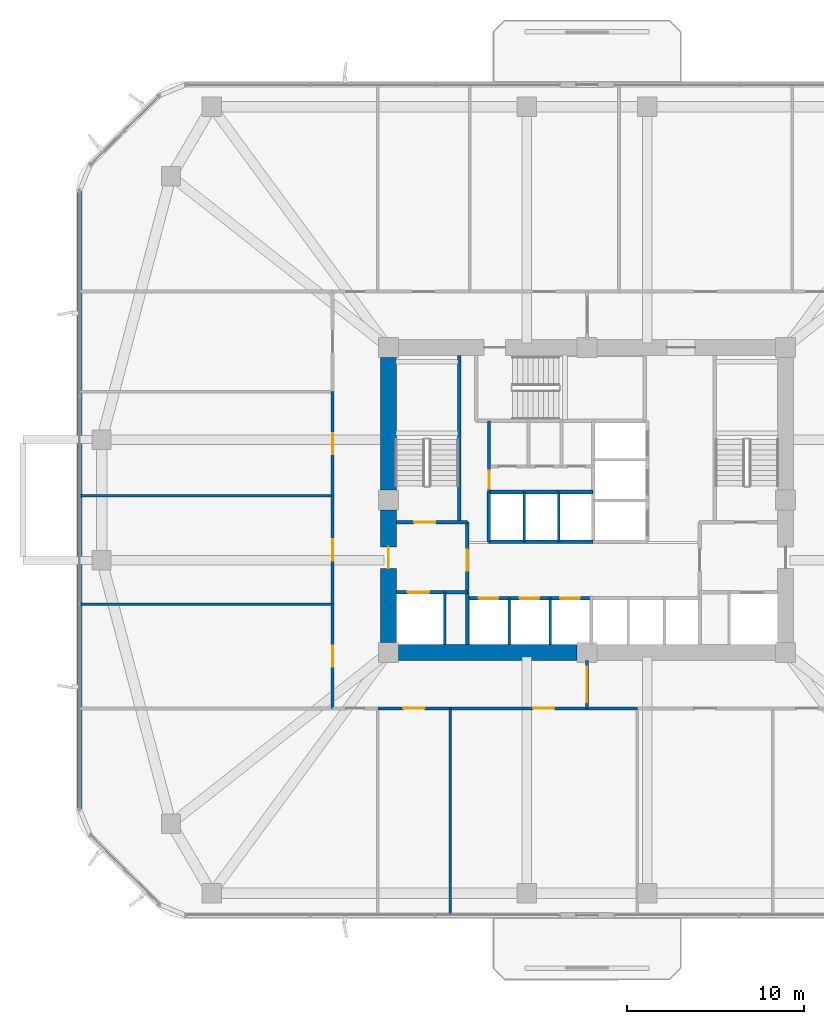
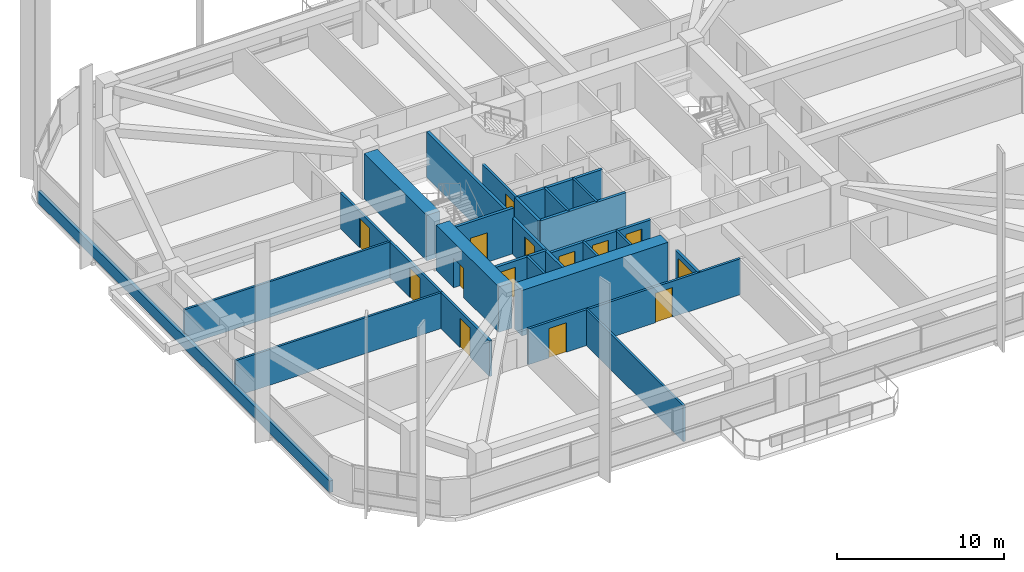
# One storey, part 9 of 17: 27 walls, 14 doors, 14 openings.
"""IFC4 building model written with IfcOpenShell, lengths in metres."""

from ifc_helpers import new_model, si_unit, derived_unit, direction, frame, frame_2d, origin, place, context, subcontext, project, spatial, rectangle, extrude, material, layer, layer_set, type_object, element, fill, save


model = new_model("IFC4")

# Units and contexts
model_context = context("Model", 3, precision=1e-05, world=origin(), true_north=direction((0.0, 1.0)))
body_context = subcontext(model_context, "Body", "Model", "MODEL_VIEW")
ifc_project = project(units=[si_unit("LENGTHUNIT", "METRE"), si_unit("AREAUNIT", "SQUARE_METRE"), si_unit("VOLUMEUNIT", "CUBIC_METRE"), si_unit("PLANEANGLEUNIT", "RADIAN"), si_unit("MASSUNIT", "GRAM", prefix="KILO"), derived_unit("THERMALTRANSMITTANCEUNIT", [(si_unit("POWERUNIT", "WATT"), 1), (si_unit("LENGTHUNIT", "METRE"), -2), (si_unit("THERMODYNAMICTEMPERATUREUNIT", "KELVIN"), -1)])], contexts=[model_context])

# Site, building, storey
site_placement = place(None, origin())
site = spatial("IfcSite", under=ifc_project, at=site_placement, CompositionType="ELEMENT")
building_placement = place(site_placement, origin())
building = spatial("IfcBuilding", under=site, at=building_placement, Name="Koralith Skygarden Medical Center", CompositionType="ELEMENT")
storey_placement = place(building_placement, frame((0.0, 0.0, 52.739990234375)))
storey = spatial("IfcBuildingStorey", under=building, at=storey_placement, Name="L13", CompositionType="ELEMENT", Elevation=52.739990234375)

# Walls
ifc_material_1 = material(Name="Gypsum Board Partition")
ifc_layer_1 = layer(ifc_material_1, 0.14990234375)
ifc_layer_set_1 = layer_set([ifc_layer_1], Name="Gypsum Board Partition")
wall_type_1 = type_object("IfcWallType", Name="Clinical Acoustic Partition 150", PredefinedType="PARTITIONING", material=ifc_layer_set_1)
wall_1_placement = place(storey_placement, frame((29.278076171875, 14.14990234375, 0.0), z_axis=(0.0, 0.0, 1.0), x_axis=(0.0, -1.0, 0.0)))
element("IfcWall", 1, at=wall_1_placement, inside=storey, type_object=wall_type_1, Name="L13 Clinical Acoustic Partition 150 W-PART-L13-S-02", PredefinedType="PARTITIONING", context=body_context, shape_type="SweptSolid", body=[
    extrude(rectangle(XDim=11.64990234375, YDim=0.14990234375, at=frame_2d((5.824951171875, 0.0))), origin(), (0.0, 0.0, 1.0), 2.610107421875),
])
for number, where, z_axis, x_axis, name in (
    (2, (22.64990234375, 20.02490234375, 0.0), (0.0, 0.0, 1.0), (-1.0, 0.0, 0.0), "L13 Clinical Acoustic Partition 150 W-PART-L13-W-01"),
    (3, (22.64990234375, 26.135009765625, 0.0), (0.0, 0.0, 1.0), (-1.0, 0.0, 0.0), "L13 Clinical Acoustic Partition 150 W-PART-L13-W-02"),
):
    element("IfcWall", number, at=place(storey_placement, frame(where, z_axis=z_axis, x_axis=x_axis)), inside=storey, type_object=wall_type_1, Name=name, PredefinedType="PARTITIONING", context=body_context, shape_type="SweptSolid", body=[
        extrude(rectangle(XDim=14.25, YDim=0.14990234375, at=frame_2d((7.125, 0.0))), origin(), (0.0, 0.0, 1.0), 2.610107421875),
    ])

# Wall, opening, door
ifc_layer_2 = layer(ifc_material_1, 0.1650390625)
ifc_layer_set_2 = layer_set([ifc_layer_2], Name="Gypsum Board Partition")
wall_type_2 = type_object("IfcWallType", Name="Clinical Corridor Partition 165", PredefinedType="PARTITIONING", material=ifc_layer_set_2)
wall_2_placement = place(storey_placement, frame((25.199951171875, 14.14990234375, 0.0), z_axis=(0.0, 0.0, 1.0), x_axis=(1.0, 0.0, 0.0)))
wall_2 = element("IfcWall", 4, at=wall_2_placement, inside=storey, type_object=wall_type_2, Name="L13 Clinical Corridor Partition 165 W-CORR-L13-S-02", PredefinedType="PARTITIONING", context=body_context, shape_type="SweptSolid", body=[
    extrude(rectangle(XDim=4.078125, YDim=0.1650390625, at=frame_2d((2.0390625, 0.0))), origin(), (0.0, 0.0, 1.0), 2.610107421875),
])
opening_1_placement = place(wall_2_placement, frame((1.43896484375, 0.0, 0.0)))
opening_1 = element("IfcOpeningElement", 5, at=opening_1_placement, cuts=wall_2, Name="Opening D-CLN", PredefinedType="OPENING", context=body_context, shape_type="SweptSolid", body=[
    extrude(rectangle(XDim=1.199951171875, YDim=2.14990234375, at=frame_2d((0.60009765625, 1.074951171875))), frame((0.0, 0.092529296875, 0.0), z_axis=(0.0, -1.0, 0.0), x_axis=(1.0, 0.0, 0.0)), (0.0, 0.0, 1.0), 0.18505859375),
])
ifc_material_2 = material(Name="Aluminium 6063-T6", Category="aluminium")
door_type_1 = type_object("IfcDoorType", Name="Clinical Corridor Door D-CLN 1200", OperationType="NOTDEFINED", PredefinedType="DOOR", material=ifc_material_2)
door_1_placement = place(opening_1_placement, frame((1.199951171875, 0.0, 0.0), z_axis=(0.0, 0.0, 1.0), x_axis=(-1.0, 0.0, 0.0)))
door_1 = element("IfcDoor", 6, at=door_1_placement, inside=storey, type_object=door_type_1, Name="L13 Grand Rounds Conference Room 07 Door", OperationType="SINGLE_SWING_RIGHT", OverallHeight=2.14990234375, OverallWidth=1.199951171875, PredefinedType="DOOR", context=body_context, shape_type="SweptSolid", body=[
    extrude(rectangle(XDim=1.199951171875, YDim=2.14990234375, at=frame_2d((0.60009765625, 1.074951171875))), frame((0.0, 0.02490234375, 0.0), z_axis=(0.0, -1.0, 0.0), x_axis=(1.0, 0.0, 0.0)), (0.0, 0.0, 1.0), 0.050048828125),
])
fill(opening_1, door_1)

wall_3_placement = place(storey_placement, frame((29.278076171875, 14.14990234375, 0.0), z_axis=(0.0, 0.0, 1.0), x_axis=(1.0, 0.0, 0.0)))
wall_3 = element("IfcWall", 7, at=wall_3_placement, inside=storey, type_object=wall_type_2, Name="L13 Clinical Corridor Partition 165 W-CORR-L13-S-03", PredefinedType="PARTITIONING", context=body_context, shape_type="SweptSolid", body=[
    extrude(rectangle(XDim=10.556884765625, YDim=0.1650390625, at=frame_2d((5.2783203125, 0.0))), origin(), (0.0, 0.0, 1.0), 2.610107421875),
])
opening_2_placement = place(wall_3_placement, frame((4.678955078125, 0.0, 0.0)))
opening_2 = element("IfcOpeningElement", 8, at=opening_2_placement, cuts=wall_3, Name="Opening D-CLN", PredefinedType="OPENING", context=body_context, shape_type="SweptSolid", body=[
    extrude(rectangle(XDim=1.199951171875, YDim=2.14990234375, at=frame_2d((0.60009765625, 1.074951171875))), frame((0.0, 0.092529296875, 0.0), z_axis=(0.0, -1.0, 0.0), x_axis=(1.0, 0.0, 0.0)), (0.0, 0.0, 1.0), 0.18505859375),
])
door_2_placement = place(opening_2_placement, frame((1.199951171875, 0.0, 0.0), z_axis=(0.0, 0.0, 1.0), x_axis=(-1.0, 0.0, 0.0)))
door_2 = element("IfcDoor", 9, at=door_2_placement, inside=storey, type_object=door_type_1, Name="L13 Patient and Family Sky-Garden Day Lounge 08 Door", OperationType="SINGLE_SWING_LEFT", OverallHeight=2.14990234375, OverallWidth=1.199951171875, PredefinedType="DOOR", context=body_context, shape_type="SweptSolid", body=[
    extrude(rectangle(XDim=1.199951171875, YDim=2.14990234375, at=frame_2d((0.60009765625, 1.074951171875))), frame((0.0, 0.02490234375, 0.0), z_axis=(0.0, -1.0, 0.0), x_axis=(1.0, 0.0, 0.0)), (0.0, 0.0, 1.0), 0.050048828125),
])
fill(opening_2, door_2)

wall_4_placement = place(storey_placement, frame((22.64990234375, 14.14990234375, 0.0), z_axis=(0.0, 0.0, 1.0), x_axis=(0.0, 1.0, 0.0)))
wall_4 = element("IfcWall", 10, at=wall_4_placement, inside=storey, type_object=wall_type_2, Name="L13 Clinical Corridor Partition 165 W-CORR-L13-W-01", PredefinedType="PARTITIONING", context=body_context, shape_type="SweptSolid", body=[
    extrude(rectangle(XDim=5.875, YDim=0.1650390625, at=frame_2d((2.9375, 0.0))), origin(), (0.0, 0.0, 1.0), 2.610107421875),
])
opening_3_placement = place(wall_4_placement, frame((2.3369140625, 0.0, 0.0)))
opening_3 = element("IfcOpeningElement", 11, at=opening_3_placement, cuts=wall_4, Name="Opening D-CLN", PredefinedType="OPENING", context=body_context, shape_type="SweptSolid", body=[
    extrude(rectangle(XDim=1.199951171875, YDim=2.14990234375, at=frame_2d((0.60009765625, 1.074951171875))), frame((0.0, 0.092529296875, 0.0), z_axis=(0.0, -1.0, 0.0), x_axis=(1.0, 0.0, 0.0)), (0.0, 0.0, 1.0), 0.18505859375),
])
door_3_placement = place(opening_3_placement, frame((1.199951171875, 0.0, 0.0), z_axis=(0.0, 0.0, 1.0), x_axis=(-1.0, 0.0, 0.0)))
door_3 = element("IfcDoor", 12, at=door_3_placement, inside=storey, type_object=door_type_1, Name="L13 Clinical Simulation Classroom 11 Door", OperationType="SINGLE_SWING_RIGHT", OverallHeight=2.14990234375, OverallWidth=1.199951171875, PredefinedType="DOOR", context=body_context, shape_type="SweptSolid", body=[
    extrude(rectangle(XDim=1.199951171875, YDim=2.14990234375, at=frame_2d((0.60009765625, 1.074951171875))), frame((0.0, 0.02490234375, 0.0), z_axis=(0.0, -1.0, 0.0), x_axis=(1.0, 0.0, 0.0)), (0.0, 0.0, 1.0), 0.050048828125),
])
fill(opening_3, door_3)

wall_5_placement = place(storey_placement, frame((22.64990234375, 20.02490234375, 0.0), z_axis=(0.0, 0.0, 1.0), x_axis=(0.0, 1.0, 0.0)))
wall_5 = element("IfcWall", 13, at=wall_5_placement, inside=storey, type_object=wall_type_2, Name="L13 Clinical Corridor Partition 165 W-CORR-L13-W-02", PredefinedType="PARTITIONING", context=body_context, shape_type="SweptSolid", body=[
    extrude(rectangle(XDim=6.110107421875, YDim=0.1650390625, at=frame_2d((3.05517578125, 0.0))), origin(), (0.0, 0.0, 1.0), 2.610107421875),
])
opening_4_placement = place(wall_5_placement, frame((2.455078125, 0.0, 0.0)))
opening_4 = element("IfcOpeningElement", 14, at=opening_4_placement, cuts=wall_5, Name="Opening D-CLN", PredefinedType="OPENING", context=body_context, shape_type="SweptSolid", body=[
    extrude(rectangle(XDim=1.199951171875, YDim=2.14990234375, at=frame_2d((0.60009765625, 1.074951171875))), frame((0.0, 0.092529296875, 0.0), z_axis=(0.0, -1.0, 0.0), x_axis=(1.0, 0.0, 0.0)), (0.0, 0.0, 1.0), 0.18505859375),
])
door_4_placement = place(opening_4_placement, frame((1.199951171875, 0.0, 0.0), z_axis=(0.0, 0.0, 1.0), x_axis=(-1.0, 0.0, 0.0)))
door_4 = element("IfcDoor", 15, at=door_4_placement, inside=storey, type_object=door_type_1, Name="L13 Grand Rounds Conference Room 12 Door", OperationType="SINGLE_SWING_LEFT", OverallHeight=2.14990234375, OverallWidth=1.199951171875, PredefinedType="DOOR", context=body_context, shape_type="SweptSolid", body=[
    extrude(rectangle(XDim=1.199951171875, YDim=2.14990234375, at=frame_2d((0.60009765625, 1.074951171875))), frame((0.0, 0.02490234375, 0.0), z_axis=(0.0, -1.0, 0.0), x_axis=(1.0, 0.0, 0.0)), (0.0, 0.0, 1.0), 0.050048828125),
])
fill(opening_4, door_4)

wall_6_placement = place(storey_placement, frame((22.64990234375, 26.135009765625, 0.0), z_axis=(0.0, 0.0, 1.0), x_axis=(0.0, 1.0, 0.0)))
wall_6 = element("IfcWall", 16, at=wall_6_placement, inside=storey, type_object=wall_type_2, Name="L13 Clinical Corridor Partition 165 W-CORR-L13-W-03", PredefinedType="PARTITIONING", context=body_context, shape_type="SweptSolid", body=[
    extrude(rectangle(XDim=5.875, YDim=0.1650390625, at=frame_2d((2.9375, 0.0))), origin(), (0.0, 0.0, 1.0), 2.610107421875),
])
opening_5_placement = place(wall_6_placement, frame((2.3369140625, 0.0, 0.0)))
opening_5 = element("IfcOpeningElement", 17, at=opening_5_placement, cuts=wall_6, Name="Opening D-CLN", PredefinedType="OPENING", context=body_context, shape_type="SweptSolid", body=[
    extrude(rectangle(XDim=1.199951171875, YDim=2.14990234375, at=frame_2d((0.60009765625, 1.074951171875))), frame((0.0, 0.092529296875, 0.0), z_axis=(0.0, -1.0, 0.0), x_axis=(1.0, 0.0, 0.0)), (0.0, 0.0, 1.0), 0.18505859375),
])
door_5_placement = place(opening_5_placement, frame((1.199951171875, 0.0, 0.0), z_axis=(0.0, 0.0, 1.0), x_axis=(-1.0, 0.0, 0.0)))
door_5 = element("IfcDoor", 18, at=door_5_placement, inside=storey, type_object=door_type_1, Name="L13 Hospitality Beverage Pantry 13 Door", OperationType="SINGLE_SWING_RIGHT", OverallHeight=2.14990234375, OverallWidth=1.199951171875, PredefinedType="DOOR", context=body_context, shape_type="SweptSolid", body=[
    extrude(rectangle(XDim=1.199951171875, YDim=2.14990234375, at=frame_2d((0.60009765625, 1.074951171875))), frame((0.0, 0.02490234375, 0.0), z_axis=(0.0, -1.0, 0.0), x_axis=(1.0, 0.0, 0.0)), (0.0, 0.0, 1.0), 0.050048828125),
])
fill(opening_5, door_5)

ifc_layer_3 = layer(ifc_material_1, 0.199951171875)
ifc_layer_set_3 = layer_set([ifc_layer_3], Name="Gypsum Board Partition")
wall_type_3 = type_object("IfcWallType", Name="Fire Shaft Wall 200", PredefinedType="SOLIDWALL", material=ifc_layer_set_3)
wall_7_placement = place(storey_placement, frame((26.25, 20.699951171875, 0.0), z_axis=(0.0, 0.0, 1.0), x_axis=(1.0, 0.0, 0.0)))
wall_7 = element("IfcWall", 19, at=wall_7_placement, inside=storey, type_object=wall_type_3, Name="L13 Fire Shaft Wall 200 W-CORE-L13-FF1-N", PredefinedType="SOLIDWALL", context=body_context, shape_type="SweptSolid", body=[
    extrude(rectangle(XDim=4.0, YDim=0.199951171875, at=frame_2d((2.0, 0.0))), origin(), (0.0, 0.0, 1.0), 2.610107421875),
])
opening_6_placement = place(wall_7_placement, frame((0.64990234375, 0.0, 0.0)))
opening_6 = element("IfcOpeningElement", 20, at=opening_6_placement, cuts=wall_7, Name="Opening LD-FF", PredefinedType="OPENING", context=body_context, shape_type="SweptSolid", body=[
    extrude(rectangle(XDim=1.199951171875, YDim=2.14990234375, at=frame_2d((0.60009765625, 1.074951171875))), frame((0.0, 0.10986328125, 0.0), z_axis=(0.0, -1.0, 0.0), x_axis=(1.0, 0.0, 0.0)), (0.0, 0.0, 1.0), 0.219970703125),
])
ifc_material_3 = material(Name="Steel ASTM A500 Grade C", Category="steel")
door_type_2 = type_object("IfcDoorType", Name="Fire Lift Sliding Landing Door LD-FF 1200", OperationType="NOTDEFINED", PredefinedType="DOOR", material=ifc_material_3)
door_6_placement = place(opening_6_placement, origin())
door_6 = element("IfcDoor", 21, at=door_6_placement, inside=storey, type_object=door_type_2, Name="L13 Fire Service Elevator FF1 Landing Door", OperationType="SLIDING_TO_LEFT", OverallHeight=2.14990234375, OverallWidth=1.199951171875, PredefinedType="DOOR", context=body_context, shape_type="SweptSolid", body=[
    extrude(rectangle(XDim=1.199951171875, YDim=2.14990234375, at=frame_2d((0.60009765625, 1.074951171875))), frame((0.0, 0.02490234375, 0.0), z_axis=(0.0, -1.0, 0.0), x_axis=(1.0, 0.0, 0.0)), (0.0, 0.0, 1.0), 0.050048828125),
])
fill(opening_6, door_6)

wall_8_placement = place(storey_placement, frame((30.25, 17.75, 0.0), z_axis=(0.0, 0.0, 1.0), x_axis=(0.0, 1.0, 0.0)))
wall_8 = element("IfcWall", 22, at=wall_8_placement, inside=storey, type_object=wall_type_3, Name="L13 Fire Shaft Wall 200 W-CORE-L13-FSAEW-E", PredefinedType="SOLIDWALL", context=body_context, shape_type="SweptSolid", body=[
    extrude(rectangle(XDim=6.89990234375, YDim=0.199951171875, at=frame_2d((3.449951171875, 0.0))), origin(), (0.0, 0.0, 1.0), 2.610107421875),
])
opening_7_placement = place(wall_8_placement, frame((4.14990234375, 0.0, 0.0)))
opening_7 = element("IfcOpeningElement", 23, at=opening_7_placement, cuts=wall_8, Name="Opening D-ST60", PredefinedType="OPENING", context=body_context, shape_type="SweptSolid", body=[
    extrude(rectangle(XDim=1.199951171875, YDim=2.14990234375, at=frame_2d((0.60009765625, 1.074951171875))), frame((0.0, 0.10986328125, 0.0), z_axis=(0.0, -1.0, 0.0), x_axis=(1.0, 0.0, 0.0)), (0.0, 0.0, 1.0), 0.219970703125),
])
door_type_3 = type_object("IfcDoorType", Name="Smokeproof Stair Fire Door FD60S 1200", OperationType="NOTDEFINED", PredefinedType="DOOR", material=ifc_material_3)
door_7_placement = place(opening_7_placement, origin())
door_7 = element("IfcDoor", 24, at=door_7_placement, inside=storey, type_object=door_type_3, Name="L13 West Firefighting Lobby Inner Fire Door", OperationType="SINGLE_SWING_LEFT", OverallHeight=2.14990234375, OverallWidth=1.199951171875, PredefinedType="DOOR", context=body_context, shape_type="SweptSolid", body=[
    extrude(rectangle(XDim=1.199951171875, YDim=2.14990234375, at=frame_2d((0.60009765625, 1.074951171875))), frame((0.0, 0.02490234375, 0.0), z_axis=(0.0, -1.0, 0.0), x_axis=(1.0, 0.0, 0.0)), (0.0, 0.0, 1.0), 0.050048828125),
])
fill(opening_7, door_7)

# Wall, openings, doors
wall_9_placement = place(storey_placement, frame((30.25, 20.360107421875, 0.0), z_axis=(0.0, 0.0, 1.0), x_axis=(1.0, 0.0, 0.0)))
wall_9 = element("IfcWall", 25, at=wall_9_placement, inside=storey, type_object=wall_type_3, Name="L13 Fire Shaft Wall 200 W-CORE-L13-PL-N", PredefinedType="SOLIDWALL", context=body_context, shape_type="SweptSolid", body=[
    extrude(rectangle(XDim=7.0, YDim=0.199951171875, at=frame_2d((3.5, 0.0))), origin(), (0.0, 0.0, 1.0), 2.610107421875),
])
opening_8_placement = place(wall_9_placement, frame((0.64990234375, 0.0, 0.0)))
opening_8 = element("IfcOpeningElement", 26, at=opening_8_placement, cuts=wall_9, Name="Opening LD-P", PredefinedType="OPENING", context=body_context, shape_type="SweptSolid", body=[
    extrude(rectangle(XDim=1.10009765625, YDim=2.14990234375, at=frame_2d((0.550048828125, 1.074951171875))), frame((0.0, 0.10986328125, 0.0), z_axis=(0.0, -1.0, 0.0), x_axis=(1.0, 0.0, 0.0)), (0.0, 0.0, 1.0), 0.219970703125),
])
opening_9_placement = place(wall_9_placement, frame((2.949951171875, 0.0, 0.0)))
opening_9 = element("IfcOpeningElement", 27, at=opening_9_placement, cuts=wall_9, Name="Opening LD-P", PredefinedType="OPENING", context=body_context, shape_type="SweptSolid", body=[
    extrude(rectangle(XDim=1.10009765625, YDim=2.14990234375, at=frame_2d((0.550048828125, 1.074951171875))), frame((0.0, 0.10986328125, 0.0), z_axis=(0.0, -1.0, 0.0), x_axis=(1.0, 0.0, 0.0)), (0.0, 0.0, 1.0), 0.219970703125),
])
opening_10_placement = place(wall_9_placement, frame((5.25, 0.0, 0.0)))
opening_10 = element("IfcOpeningElement", 28, at=opening_10_placement, cuts=wall_9, Name="Opening LD-P", PredefinedType="OPENING", context=body_context, shape_type="SweptSolid", body=[
    extrude(rectangle(XDim=1.10009765625, YDim=2.14990234375, at=frame_2d((0.550048828125, 1.074951171875))), frame((0.0, 0.10986328125, 0.0), z_axis=(0.0, -1.0, 0.0), x_axis=(1.0, 0.0, 0.0)), (0.0, 0.0, 1.0), 0.219970703125),
])
door_type_4 = type_object("IfcDoorType", Name="Passenger Lift Sliding Landing Door LD-P 1100", OperationType="NOTDEFINED", PredefinedType="DOOR", material=ifc_material_3)
door_8_placement = place(opening_8_placement, origin())
door_8 = element("IfcDoor", 29, at=door_8_placement, inside=storey, type_object=door_type_4, Name="L13 Passenger Elevator PL1 Landing Door", OperationType="SLIDING_TO_LEFT", OverallHeight=2.14990234375, OverallWidth=1.10009765625, PredefinedType="DOOR", context=body_context, shape_type="SweptSolid", body=[
    extrude(rectangle(XDim=1.10009765625, YDim=2.14990234375, at=frame_2d((0.550048828125, 1.074951171875))), frame((0.0, 0.02490234375, 0.0), z_axis=(0.0, -1.0, 0.0), x_axis=(1.0, 0.0, 0.0)), (0.0, 0.0, 1.0), 0.050048828125),
])
fill(opening_8, door_8)
door_9_placement = place(opening_9_placement, origin())
door_9 = element("IfcDoor", 30, at=door_9_placement, inside=storey, type_object=door_type_4, Name="L13 Passenger Elevator PL2 Landing Door", OperationType="SLIDING_TO_LEFT", OverallHeight=2.14990234375, OverallWidth=1.10009765625, PredefinedType="DOOR", context=body_context, shape_type="SweptSolid", body=[
    extrude(rectangle(XDim=1.10009765625, YDim=2.14990234375, at=frame_2d((0.550048828125, 1.074951171875))), frame((0.0, 0.02490234375, 0.0), z_axis=(0.0, -1.0, 0.0), x_axis=(1.0, 0.0, 0.0)), (0.0, 0.0, 1.0), 0.050048828125),
])
fill(opening_9, door_9)
door_10_placement = place(opening_10_placement, origin())
door_10 = element("IfcDoor", 31, at=door_10_placement, inside=storey, type_object=door_type_4, Name="L13 Passenger Elevator PL3 Landing Door", OperationType="SLIDING_TO_LEFT", OverallHeight=2.14990234375, OverallWidth=1.10009765625, PredefinedType="DOOR", context=body_context, shape_type="SweptSolid", body=[
    extrude(rectangle(XDim=1.10009765625, YDim=2.14990234375, at=frame_2d((0.550048828125, 1.074951171875))), frame((0.0, 0.02490234375, 0.0), z_axis=(0.0, -1.0, 0.0), x_axis=(1.0, 0.0, 0.0)), (0.0, 0.0, 1.0), 0.050048828125),
])
fill(opening_10, door_10)

# Walls
for number, where, z_axis, x_axis, name in (
    (32, (31.449951171875, 23.5400390625, 0.0), (0.0, 0.0, 1.0), (1.0, 0.0, 0.0), "L13 Fire Shaft Wall 200 W-CORE-L13-PH-S"),
    (33, (31.449951171875, 26.35009765625, 0.0), (0.0, 0.0, 1.0), (1.0, 0.0, 0.0), "L13 Fire Shaft Wall 200 W-CORE-L13-PH-N"),
):
    element("IfcWall", number, at=place(storey_placement, frame(where, z_axis=z_axis, x_axis=x_axis)), inside=storey, type_object=wall_type_3, Name=name, PredefinedType="SOLIDWALL", context=body_context, shape_type="SweptSolid", body=[
        extrude(rectangle(XDim=5.900146484375, YDim=0.199951171875, at=frame_2d((2.9501953125, 0.0))), origin(), (0.0, 0.0, 1.0), 2.610107421875),
    ])
wall_10_placement = place(storey_placement, frame((31.449951171875, 23.5400390625, 0.0), z_axis=(0.0, 0.0, 1.0), x_axis=(0.0, 1.0, 0.0)))
element("IfcWall", 34, at=wall_10_placement, inside=storey, type_object=wall_type_3, Name="L13 Fire Shaft Wall 200 W-CORE-L13-PH-W", PredefinedType="SOLIDWALL", context=body_context, shape_type="SweptSolid", body=[
    extrude(rectangle(XDim=2.81005859375, YDim=0.199951171875, at=frame_2d((1.405029296875, 0.0))), origin(), (0.0, 0.0, 1.0), 2.610107421875),
])

# Wall, opening, door
ifc_layer_4 = layer(ifc_material_1, 0.179931640625)
ifc_layer_set_4 = layer_set([ifc_layer_4], Name="Gypsum Board Partition")
wall_type_4 = type_object("IfcWallType", Name="Group I-2 Smoke Barrier Wall 180", PredefinedType="PARTITIONING", material=ifc_layer_set_4)
wall_11_placement = place(storey_placement, frame((37.0, 14.14990234375, 0.0), z_axis=(0.0, 0.0, 1.0), x_axis=(0.0, 1.0, 0.0)))
wall_11 = element("IfcWall", 35, at=wall_11_placement, inside=storey, type_object=wall_type_4, Name="L13 Group I-2 Smoke Barrier Wall 180 W-SMK-L13-S", PredefinedType="PARTITIONING", context=body_context, shape_type="SweptSolid", body=[
    extrude(rectangle(XDim=2.7001953125, YDim=0.179931640625, at=frame_2d((1.35009765625, 0.0))), origin(), (0.0, 0.0, 1.0), 2.610107421875),
])
opening_11_placement = place(wall_11_placement, frame((0.35009765625, 0.0, 0.0)))
opening_11 = element("IfcOpeningElement", 36, at=opening_11_placement, cuts=wall_11, Name="Opening D-SMK", PredefinedType="OPENING", context=body_context, shape_type="SweptSolid", body=[
    extrude(rectangle(XDim=2.0, YDim=2.199951171875, at=frame_2d((1.0, 1.10009765625))), frame((0.0, 0.099853515625, 0.0), z_axis=(0.0, -1.0, 0.0), x_axis=(1.0, 0.0, 0.0)), (0.0, 0.0, 1.0), 0.199951171875),
])
door_type_5 = type_object("IfcDoorType", Name="Cross-Corridor Double Smoke Door FD60S 2000", OperationType="NOTDEFINED", PredefinedType="DOOR", material=ifc_material_3)
door_11_placement = place(opening_11_placement, frame((2.0, 0.0, 0.0), z_axis=(0.0, 0.0, 1.0), x_axis=(-1.0, 0.0, 0.0)))
door_11 = element("IfcDoor", 37, at=door_11_placement, inside=storey, type_object=door_type_5, Name="L13 S Smoke Compartment Cross-Corridor Door", OperationType="DOUBLE_DOOR_SINGLE_SWING", OverallHeight=2.199951171875, OverallWidth=2.0, PredefinedType="DOOR", context=body_context, shape_type="SweptSolid", body=[
    extrude(rectangle(XDim=2.0, YDim=2.199951171875, at=frame_2d((1.0, 1.10009765625))), frame((0.0, 0.02490234375, 0.0), z_axis=(0.0, -1.0, 0.0), x_axis=(1.0, 0.0, 0.0)), (0.0, 0.0, 1.0), 0.050048828125),
])
fill(opening_11, door_11)

# Walls
ifc_material_4 = material(Name="Warm Oolitic Limestone Cladding", Category="masonry")
ifc_layer_5 = layer(ifc_material_4, 0.239990234375)
ifc_layer_set_5 = layer_set([ifc_layer_5], Name="Warm Oolitic Limestone Cladding")
wall_type_5 = type_object("IfcWallType", Name="Limestone Spandrel Sill Backup Wall 240", PredefinedType="SOLIDWALL", material=ifc_layer_set_5)
wall_12_placement = place(storey_placement, frame((8.3798828125, 43.344970703125, 0.0), z_axis=(0.0, 0.0, 1.0), x_axis=(0.0, -1.0, 0.0)))
element("IfcWall", 38, at=wall_12_placement, inside=storey, type_object=wall_type_5, Name="L13 Sill Spandrel W", PredefinedType="SOLIDWALL", context=body_context, shape_type="SweptSolid", body=[
    extrude(rectangle(XDim=34.889892578125, YDim=0.239990234375, at=frame_2d((17.44482421875, 0.0))), origin(), (0.0, 0.0, 1.0), 0.85009765625),
])
ifc_material_5 = material(Name="Concrete C70/85", Category="concrete")
ifc_layer_6 = layer(ifc_material_5, 0.89990234375)
ifc_layer_set_6 = layer_set([ifc_layer_6], Name="Concrete C70/85")
wall_type_6 = type_object("IfcWallType", Name="Lower Core Shear Wall 900", PredefinedType="SHEAR", material=ifc_layer_set_6)
wall_13_placement = place(storey_placement, frame((26.364990234375, 17.300048828125, 0.0), z_axis=(0.0, 0.0, 1.0), x_axis=(1.0, 0.0, 0.0)))
element("IfcWall", 39, at=wall_13_placement, inside=storey, type_object=wall_type_6, Name="L13 Core Shear Wall Segment 1", PredefinedType="SHEAR", context=body_context, shape_type="SweptSolid", body=[
    extrude(rectangle(XDim=10.070068359375, YDim=0.89990234375, at=frame_2d((5.03515625, 0.0))), origin(), (0.0, 0.0, 1.0), 3.320068359375),
])
wall_14_placement = place(storey_placement, frame((25.800048828125, 33.93505859375, 0.0), z_axis=(0.0, 0.0, 1.0), x_axis=(0.0, -1.0, 0.0)))
element("IfcWall", 40, at=wall_14_placement, inside=storey, type_object=wall_type_6, Name="L13 Core Shear Wall Segment 7", PredefinedType="SHEAR", context=body_context, shape_type="SweptSolid", body=[
    extrude(rectangle(XDim=7.469970703125, YDim=0.89990234375, at=frame_2d((3.73486328125, 0.0))), origin(), (0.0, 0.0, 1.0), 3.320068359375),
])

# Wall, opening, door
wall_15_placement = place(storey_placement, frame((25.800048828125, 25.3349609375, 0.0), z_axis=(0.0, 0.0, 1.0), x_axis=(0.0, -1.0, 0.0)))
wall_15 = element("IfcWall", 41, at=wall_15_placement, inside=storey, type_object=wall_type_6, Name="L13 Core Shear Wall Segment 8", PredefinedType="SHEAR", context=body_context, shape_type="SweptSolid", body=[
    extrude(rectangle(XDim=7.469970703125, YDim=0.89990234375, at=frame_2d((3.73486328125, 0.0))), origin(), (0.0, 0.0, 1.0), 3.320068359375),
])
opening_12_placement = place(wall_15_placement, frame((2.0849609375, 0.0, 0.0)))
opening_12 = element("IfcOpeningElement", 42, at=opening_12_placement, cuts=wall_15, Name="Opening D-ST60", PredefinedType="OPENING", context=body_context, shape_type="SweptSolid", body=[
    extrude(rectangle(XDim=1.199951171875, YDim=2.14990234375, at=frame_2d((0.60009765625, 1.074951171875))), frame((0.0, 0.4599609375, 0.0), z_axis=(0.0, -1.0, 0.0), x_axis=(1.0, 0.0, 0.0)), (0.0, 0.0, 1.0), 0.919921875),
])
door_12_placement = place(opening_12_placement, frame((1.199951171875, 0.0, 0.0), z_axis=(0.0, 0.0, 1.0), x_axis=(-1.0, 0.0, 0.0)))
door_12 = element("IfcDoor", 43, at=door_12_placement, inside=storey, type_object=door_type_3, Name="L13 West Corridor to Firefighting Lobby Door", OperationType="SINGLE_SWING_LEFT", OverallHeight=2.14990234375, OverallWidth=1.199951171875, PredefinedType="DOOR", context=body_context, shape_type="SweptSolid", body=[
    extrude(rectangle(XDim=1.199951171875, YDim=2.14990234375, at=frame_2d((0.60009765625, 1.074951171875))), frame((0.0, 0.02490234375, 0.0), z_axis=(0.0, -1.0, 0.0), x_axis=(1.0, 0.0, 0.0)), (0.0, 0.0, 1.0), 0.050048828125),
])
fill(opening_12, door_12)

ifc_layer_7 = layer(ifc_material_1, 0.1650390625)
ifc_layer_set_7 = layer_set([ifc_layer_7], Name="Gypsum Board Partition")
wall_type_7 = type_object("IfcWallType", Name="Plumbing Wet Wall 165", PredefinedType="PLUMBINGWALL", material=ifc_layer_set_7)
wall_16_placement = place(storey_placement, frame((31.47998046875, 26.320068359375, 0.0), z_axis=(0.0, 0.0, 1.0), x_axis=(0.0, 1.0, 0.0)))
wall_16 = element("IfcWall", 44, at=wall_16_placement, inside=storey, type_object=wall_type_7, Name="L13 Plumbing Wet Wall 165 W-CORE-L13-FLEX-W", PredefinedType="PLUMBINGWALL", context=body_context, shape_type="SweptSolid", body=[
    extrude(rectangle(XDim=4.0400390625, YDim=0.1650390625, at=frame_2d((2.02001953125, 0.0))), origin(), (0.0, 0.0, 1.0), 2.610107421875),
])
opening_13_placement = place(wall_16_placement, frame((0.219970703125, 0.0, 0.0)))
opening_13 = element("IfcOpeningElement", 45, at=opening_13_placement, cuts=wall_16, Name="Opening D-SUP", PredefinedType="OPENING", context=body_context, shape_type="SweptSolid", body=[
    extrude(rectangle(XDim=1.0, YDim=2.14990234375, at=frame_2d((0.5, 1.074951171875))), frame((0.0, 0.092529296875, 0.0), z_axis=(0.0, -1.0, 0.0), x_axis=(1.0, 0.0, 0.0)), (0.0, 0.0, 1.0), 0.18505859375),
])
door_type_6 = type_object("IfcDoorType", Name="Clinical Support Door D-SUP 1000", OperationType="NOTDEFINED", PredefinedType="DOOR", material=ifc_material_2)
door_13_placement = place(opening_13_placement, frame((1.0, 0.0, 0.0), z_axis=(0.0, 0.0, 1.0), x_axis=(-1.0, 0.0, 0.0)))
door_13 = element("IfcDoor", 46, at=door_13_placement, inside=storey, type_object=door_type_6, Name="L13 Core Service Alcove Door", OperationType="SINGLE_SWING_LEFT", OverallHeight=2.14990234375, OverallWidth=1.0, PredefinedType="DOOR", context=body_context, shape_type="SweptSolid", body=[
    extrude(rectangle(XDim=1.0, YDim=2.14990234375, at=frame_2d((0.5, 1.074951171875))), frame((0.0, 0.02490234375, 0.0), z_axis=(0.0, -1.0, 0.0), x_axis=(1.0, 0.0, 0.0)), (0.0, 0.0, 1.0), 0.050048828125),
])
fill(opening_13, door_13)

# Walls
ifc_layer_8 = layer(ifc_material_1, 0.14990234375)
ifc_layer_set_8 = layer_set([ifc_layer_8], Name="Gypsum Board Partition")
wall_type_8 = type_object("IfcWallType", Name="Shaft Partition Wall 150", PredefinedType="PARTITIONING", material=ifc_layer_set_8)
wall_17_placement = place(storey_placement, frame((28.969970703125, 17.75, 0.0), z_axis=(0.0, 0.0, 1.0), x_axis=(0.0, 1.0, 0.0)))
element("IfcWall", 47, at=wall_17_placement, inside=storey, type_object=wall_type_8, Name="L13 Shaft Partition Wall 150 W-CORE-L13-RSRW-DIV", PredefinedType="PARTITIONING", context=body_context, shape_type="SweptSolid", body=[
    extrude(rectangle(XDim=2.949951171875, YDim=0.14990234375, at=frame_2d((1.47509765625, 0.0))), origin(), (0.0, 0.0, 1.0), 2.610107421875),
])
for number, where, z_axis, x_axis, name in (
    (48, (32.6201171875, 17.75, 0.0), (0.0, 0.0, 1.0), (0.0, 1.0, 0.0), "L13 Shaft Partition Wall 150 W-CORE-L13-PL-D1"),
    (49, (34.919921875, 17.75, 0.0), (0.0, 0.0, 1.0), (0.0, 1.0, 0.0), "L13 Shaft Partition Wall 150 W-CORE-L13-PL-D2"),
):
    element("IfcWall", number, at=place(storey_placement, frame(where, z_axis=z_axis, x_axis=x_axis)), inside=storey, type_object=wall_type_8, Name=name, PredefinedType="PARTITIONING", context=body_context, shape_type="SweptSolid", body=[
        extrude(rectangle(XDim=2.610107421875, YDim=0.14990234375, at=frame_2d((1.30517578125, 0.0))), origin(), (0.0, 0.0, 1.0), 2.610107421875),
    ])
for number, where, z_axis, x_axis, name in (
    (50, (33.449951171875, 23.5400390625, 0.0), (0.0, 0.0, 1.0), (0.0, 1.0, 0.0), "L13 Shaft Partition Wall 150 W-CORE-L13-PH-D1"),
    (51, (35.39990234375, 23.5400390625, 0.0), (0.0, 0.0, 1.0), (0.0, 1.0, 0.0), "L13 Shaft Partition Wall 150 W-CORE-L13-PH-D2"),
):
    element("IfcWall", number, at=place(storey_placement, frame(where, z_axis=z_axis, x_axis=x_axis)), inside=storey, type_object=wall_type_8, Name=name, PredefinedType="PARTITIONING", context=body_context, shape_type="SweptSolid", body=[
        extrude(rectangle(XDim=2.81005859375, YDim=0.14990234375, at=frame_2d((1.405029296875, 0.0))), origin(), (0.0, 0.0, 1.0), 2.610107421875),
    ])
ifc_material_6 = material(Name="Concrete C45/55", Category="concrete")
ifc_layer_9 = layer(ifc_material_6, 0.199951171875)
ifc_layer_set_9 = layer_set([ifc_layer_9], Name="Concrete C45/55")
wall_type_9 = type_object("IfcWallType", Name="Structural Stair Shaft Wall 200", PredefinedType="SHEAR", material=ifc_layer_set_9)
wall_18_placement = place(storey_placement, frame((29.800048828125, 24.64990234375, 0.0), z_axis=(0.0, 0.0, 1.0), x_axis=(0.0, 1.0, 0.0)))
element("IfcWall", 52, at=wall_18_placement, inside=storey, type_object=wall_type_9, Name="L13 Structural Stair Shaft Wall 200 W-CORE-L13-ST1-E", PredefinedType="SHEAR", context=body_context, shape_type="SweptSolid", body=[
    extrude(rectangle(XDim=9.400146484375, YDim=0.199951171875, at=frame_2d((4.7001953125, 0.0))), origin(), (0.0, 0.0, 1.0), 3.320068359375),
])

# Wall, opening, door
wall_19_placement = place(storey_placement, frame((26.25, 24.64990234375, 0.0), z_axis=(0.0, 0.0, 1.0), x_axis=(1.0, 0.0, 0.0)))
wall_19 = element("IfcWall", 53, at=wall_19_placement, inside=storey, type_object=wall_type_9, Name="L13 Structural Stair Shaft Wall 200 W-CORE-L13-ST1-S", PredefinedType="SHEAR", context=body_context, shape_type="SweptSolid", body=[
    extrude(rectangle(XDim=4.0, YDim=0.199951171875, at=frame_2d((2.0, 0.0))), origin(), (0.0, 0.0, 1.0), 3.320068359375),
])
opening_14_placement = place(wall_19_placement, frame((1.0, 0.0, 0.0)))
opening_14 = element("IfcOpeningElement", 54, at=opening_14_placement, cuts=wall_19, Name="Opening D-ST60", PredefinedType="OPENING", context=body_context, shape_type="SweptSolid", body=[
    extrude(rectangle(XDim=1.199951171875, YDim=2.14990234375, at=frame_2d((0.60009765625, 1.074951171875))), frame((0.0, 0.10986328125, 0.0), z_axis=(0.0, -1.0, 0.0), x_axis=(1.0, 0.0, 0.0)), (0.0, 0.0, 1.0), 0.219970703125),
])
door_14_placement = place(opening_14_placement, origin())
door_14 = element("IfcDoor", 55, at=door_14_placement, inside=storey, type_object=door_type_3, Name="L13 Exit Stair ST1 Fire Door", OperationType="SINGLE_SWING_LEFT", OverallHeight=2.14990234375, OverallWidth=1.199951171875, PredefinedType="DOOR", context=body_context, shape_type="SweptSolid", body=[
    extrude(rectangle(XDim=1.199951171875, YDim=2.14990234375, at=frame_2d((0.60009765625, 1.074951171875))), frame((0.0, 0.02490234375, 0.0), z_axis=(0.0, -1.0, 0.0), x_axis=(1.0, 0.0, 0.0)), (0.0, 0.0, 1.0), 0.050048828125),
])
fill(opening_14, door_14)

save(model, "model.ifc")
